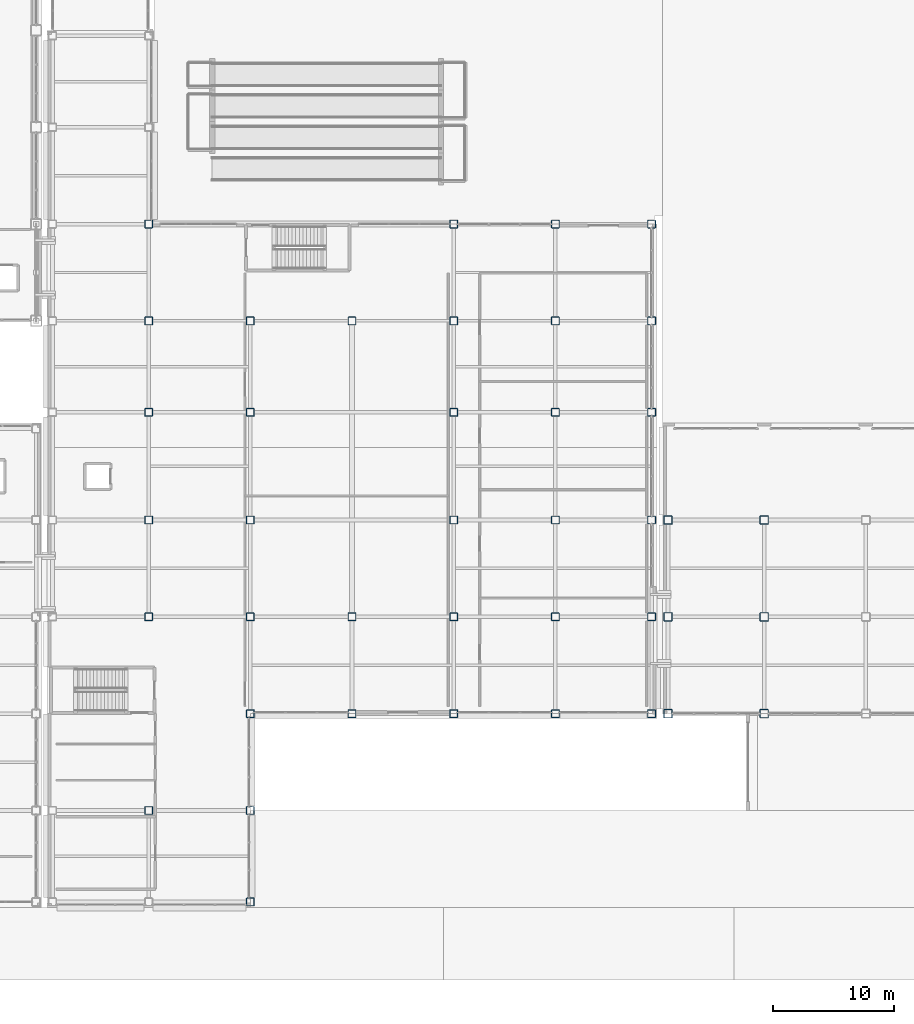
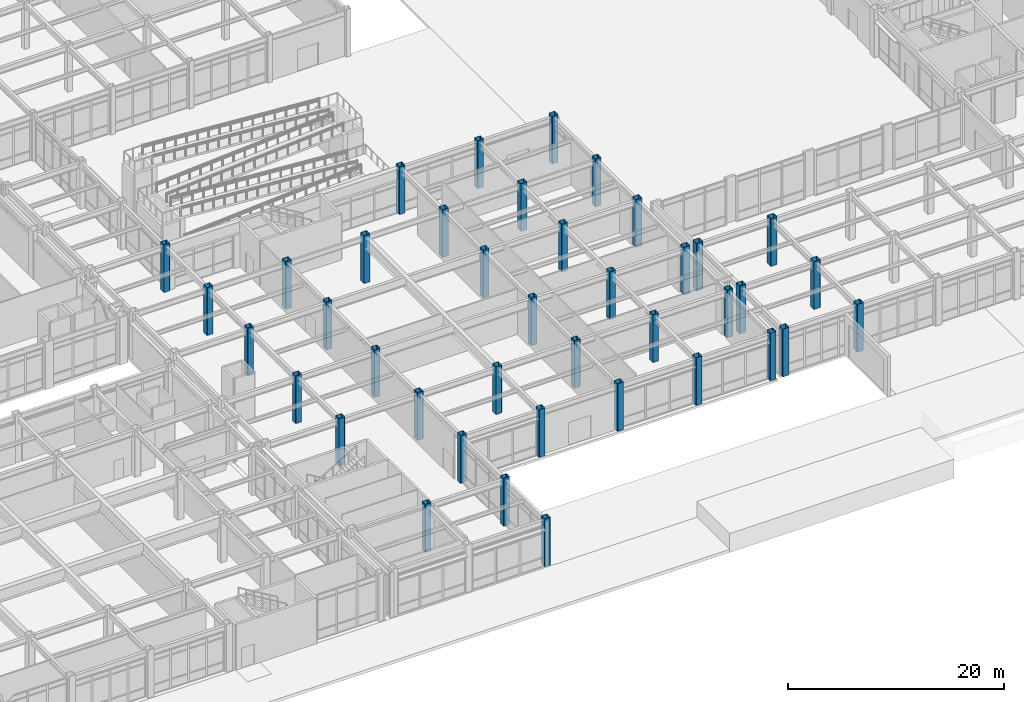
# One storey, part 3 of 165: 40 columns.
"""IFC4 building model written with IfcOpenShell, lengths in metres."""

from ifc_helpers import new_model, si_unit, direction, frame, origin, origin_2d, place, context, subcontext, project, spatial, hollow_rectangle, extrude, material, material_profile, profile_set, type_object, element, save


model = new_model("IFC4")

# Units and contexts
model_context = context("Model", 3, precision=1e-05, world=origin(), true_north=direction((0.0, 1.0)))
body_context = subcontext(model_context, "Body", "Model", "MODEL_VIEW")
ifc_project = project(units=[si_unit("LENGTHUNIT", "METRE"), si_unit("AREAUNIT", "SQUARE_METRE"), si_unit("VOLUMEUNIT", "CUBIC_METRE"), si_unit("PLANEANGLEUNIT", "RADIAN"), si_unit("MASSUNIT", "GRAM", prefix="KILO")], contexts=[model_context])

# Site, building, storey
site_placement = place(None, origin())
site = spatial("IfcSite", under=ifc_project, at=site_placement, CompositionType="ELEMENT")
building_placement = place(site_placement, origin())
building = spatial("IfcBuilding", under=site, at=building_placement, Name="Kazehara Bluff Congress Hotel", CompositionType="ELEMENT")
storey_placement = place(building_placement, origin())
storey = spatial("IfcBuildingStorey", under=building, at=storey_placement, Name="L00", CompositionType="ELEMENT", Elevation=0.0)

# Columns
ifc_material_1 = material(Name="Steel BCR295", Category="steel")
ifc_material_profile_1 = material_profile(ifc_material_1, hollow_rectangle(XDim=0.699951171875, YDim=0.699951171875, WallThickness=0.028076171875, InnerFilletRadius=0.028076171875, OuterFilletRadius=0.055908203125, at=origin_2d()))
ifc_profile_set_1 = profile_set([ifc_material_profile_1], Name="Steel BCR295")
column_type_1 = type_object("IfcColumnType", Name="TP-C-03", PredefinedType="COLUMN", material=ifc_profile_set_1)
for number, where, z_axis, x_axis, name in (
    (1, (110.550048828125, 16.0, 0.0), (0.0, 0.0, 1.0), (1.0, 0.0, 0.0), "L00 column C-03 (110.55,16.00)"),
    (2, (110.550048828125, 24.0, 0.0), (0.0, 0.0, 1.0), (1.0, 0.0, 0.0), "L00 column C-03 (110.55,24.00)"),
    (3, (110.550048828125, 32.0, 0.0), (0.0, 0.0, 1.0), (1.0, 0.0, 0.0), "L00 column C-03 (110.55,32.00)"),
    (4, (118.5, 16.0, 0.0), (0.0, 0.0, 1.0), (1.0, 0.0, 0.0), "L00 column C-03 (118.50,16.00)"),
    (5, (118.5, 24.0, 0.0), (0.0, 0.0, 1.0), (1.0, 0.0, 0.0), "L00 column C-03 (118.50,24.00)"),
    (6, (118.5, 32.0, 0.0), (0.0, 0.0, 1.0), (1.0, 0.0, 0.0), "L00 column C-03 (118.50,32.00)"),
):
    element("IfcColumn", number, at=place(storey_placement, frame(where, z_axis=z_axis, x_axis=x_axis)), inside=storey, type_object=column_type_1, Name=name, PredefinedType="COLUMN", context=body_context, shape_type="SweptSolid", body=[
        extrude(hollow_rectangle(XDim=0.699951171875, YDim=0.699951171875, WallThickness=0.028076171875, InnerFilletRadius=0.028076171875, OuterFilletRadius=0.055908203125, at=origin_2d()), origin(), (0.0, 0.0, 1.0), 5.39990234375),
    ])
ifc_material_2 = material(Name="Steel BCR295", Category="steel")
ifc_material_profile_2 = material_profile(ifc_material_2, hollow_rectangle(XDim=0.64990234375, YDim=0.64990234375, WallThickness=0.02490234375, InnerFilletRadius=0.02490234375, OuterFilletRadius=0.050048828125, at=origin_2d()))
ifc_profile_set_2 = profile_set([ifc_material_profile_2], Name="Steel BCR295")
column_type_2 = type_object("IfcColumnType", Name="TP-C-04", PredefinedType="COLUMN", material=ifc_profile_set_2)
for number, where, z_axis, x_axis, name in (
    (7, (67.64990234375, 8.0, 0.0), (0.0, 0.0, 1.0), (1.0, 0.0, 0.0), "L00 column C-04 (67.65,8.00)"),
    (8, (67.64990234375, 24.0, 0.0), (0.0, 0.0, 1.0), (1.0, 0.0, 0.0), "L00 column C-04 (67.65,24.00)"),
    (9, (67.64990234375, 32.0, 0.0), (0.0, 0.0, 1.0), (1.0, 0.0, 0.0), "L00 column C-04 (67.65,32.00)"),
    (10, (67.64990234375, 40.89990234375, 0.0), (0.0, 0.0, 1.0), (1.0, 0.0, 0.0), "L00 column C-04 (67.65,40.90)"),
    (11, (67.64990234375, 48.449951171875, 0.0), (0.0, 0.0, 1.0), (1.0, 0.0, 0.0), "L00 column C-04 (67.65,48.45)"),
    (12, (67.64990234375, 56.449951171875, 0.0), (0.0, 0.0, 1.0), (1.0, 0.0, 0.0), "L00 column C-04 (67.65,56.45)"),
    (13, (76.050048828125, 0.449951171875, 0.0), (0.0, 0.0, 1.0), (1.0, 0.0, 0.0), "L00 column C-04 (76.05,0.45)"),
    (14, (76.050048828125, 8.0, 0.0), (0.0, 0.0, 1.0), (1.0, 0.0, 0.0), "L00 column C-04 (76.05,8.00)"),
    (15, (76.050048828125, 16.0, 0.0), (0.0, 0.0, 1.0), (1.0, 0.0, 0.0), "L00 column C-04 (76.05,16.00)"),
    (16, (76.050048828125, 24.0, 0.0), (0.0, 0.0, 1.0), (1.0, 0.0, 0.0), "L00 column C-04 (76.05,24.00)"),
    (17, (76.050048828125, 32.0, 0.0), (0.0, 0.0, 1.0), (1.0, 0.0, 0.0), "L00 column C-04 (76.05,32.00)"),
    (18, (76.050048828125, 40.89990234375, 0.0), (0.0, 0.0, 1.0), (1.0, 0.0, 0.0), "L00 column C-04 (76.05,40.90)"),
    (19, (76.050048828125, 48.449951171875, 0.0), (0.0, 0.0, 1.0), (1.0, 0.0, 0.0), "L00 column C-04 (76.05,48.45)"),
    (20, (84.449951171875, 16.0, 0.0), (0.0, 0.0, 1.0), (1.0, 0.0, 0.0), "L00 column C-04 (84.45,16.00)"),
    (21, (84.449951171875, 24.0, 0.0), (0.0, 0.0, 1.0), (1.0, 0.0, 0.0), "L00 column C-04 (84.45,24.00)"),
    (22, (84.449951171875, 48.449951171875, 0.0), (0.0, 0.0, 1.0), (1.0, 0.0, 0.0), "L00 column C-04 (84.45,48.45)"),
    (23, (92.85009765625, 16.0, 0.0), (0.0, 0.0, 1.0), (1.0, 0.0, 0.0), "L00 column C-04 (92.85,16.00)"),
    (24, (92.85009765625, 24.0, 0.0), (0.0, 0.0, 1.0), (1.0, 0.0, 0.0), "L00 column C-04 (92.85,24.00)"),
    (25, (92.85009765625, 32.0, 0.0), (0.0, 0.0, 1.0), (1.0, 0.0, 0.0), "L00 column C-04 (92.85,32.00)"),
    (26, (92.85009765625, 40.89990234375, 0.0), (0.0, 0.0, 1.0), (1.0, 0.0, 0.0), "L00 column C-04 (92.85,40.90)"),
    (27, (92.85009765625, 48.449951171875, 0.0), (0.0, 0.0, 1.0), (1.0, 0.0, 0.0), "L00 column C-04 (92.85,48.45)"),
    (28, (92.85009765625, 56.449951171875, 0.0), (0.0, 0.0, 1.0), (1.0, 0.0, 0.0), "L00 column C-04 (92.85,56.45)"),
    (29, (101.25, 16.0, 0.0), (0.0, 0.0, 1.0), (1.0, 0.0, 0.0), "L00 column C-04 (101.25,16.00)"),
    (30, (101.25, 24.0, 0.0), (0.0, 0.0, 1.0), (1.0, 0.0, 0.0), "L00 column C-04 (101.25,24.00)"),
    (31, (101.25, 32.0, 0.0), (0.0, 0.0, 1.0), (1.0, 0.0, 0.0), "L00 column C-04 (101.25,32.00)"),
    (32, (101.25, 40.89990234375, 0.0), (0.0, 0.0, 1.0), (1.0, 0.0, 0.0), "L00 column C-04 (101.25,40.90)"),
    (33, (101.25, 48.449951171875, 0.0), (0.0, 0.0, 1.0), (1.0, 0.0, 0.0), "L00 column C-04 (101.25,48.45)"),
    (34, (101.25, 56.449951171875, 0.0), (0.0, 0.0, 1.0), (1.0, 0.0, 0.0), "L00 column C-04 (101.25,56.45)"),
    (35, (109.199951171875, 16.0, 0.0), (0.0, 0.0, 1.0), (1.0, 0.0, 0.0), "L00 column C-04 (109.20,16.00)"),
    (36, (109.199951171875, 24.0, 0.0), (0.0, 0.0, 1.0), (1.0, 0.0, 0.0), "L00 column C-04 (109.20,24.00)"),
    (37, (109.199951171875, 32.0, 0.0), (0.0, 0.0, 1.0), (1.0, 0.0, 0.0), "L00 column C-04 (109.20,32.00)"),
    (38, (109.199951171875, 40.89990234375, 0.0), (0.0, 0.0, 1.0), (1.0, 0.0, 0.0), "L00 column C-04 (109.20,40.90)"),
    (39, (109.199951171875, 48.449951171875, 0.0), (0.0, 0.0, 1.0), (1.0, 0.0, 0.0), "L00 column C-04 (109.20,48.45)"),
    (40, (109.199951171875, 56.449951171875, 0.0), (0.0, 0.0, 1.0), (1.0, 0.0, 0.0), "L00 column C-04 (109.20,56.45)"),
):
    element("IfcColumn", number, at=place(storey_placement, frame(where, z_axis=z_axis, x_axis=x_axis)), inside=storey, type_object=column_type_2, Name=name, PredefinedType="COLUMN", context=body_context, shape_type="SweptSolid", body=[
        extrude(hollow_rectangle(XDim=0.64990234375, YDim=0.64990234375, WallThickness=0.02490234375, InnerFilletRadius=0.02490234375, OuterFilletRadius=0.050048828125, at=origin_2d()), origin(), (0.0, 0.0, 1.0), 5.39990234375),
    ])

save(model, "model.ifc")
